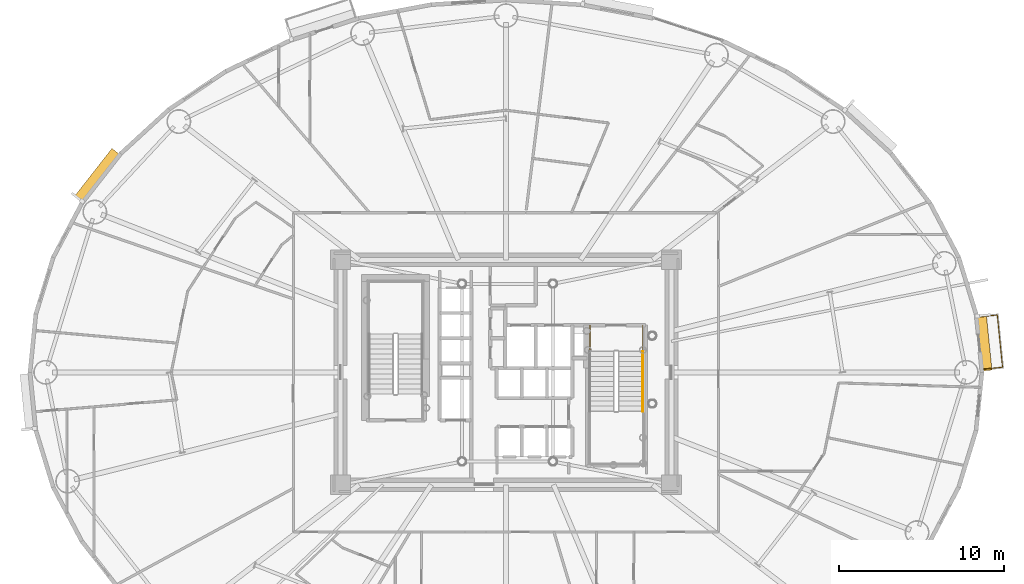
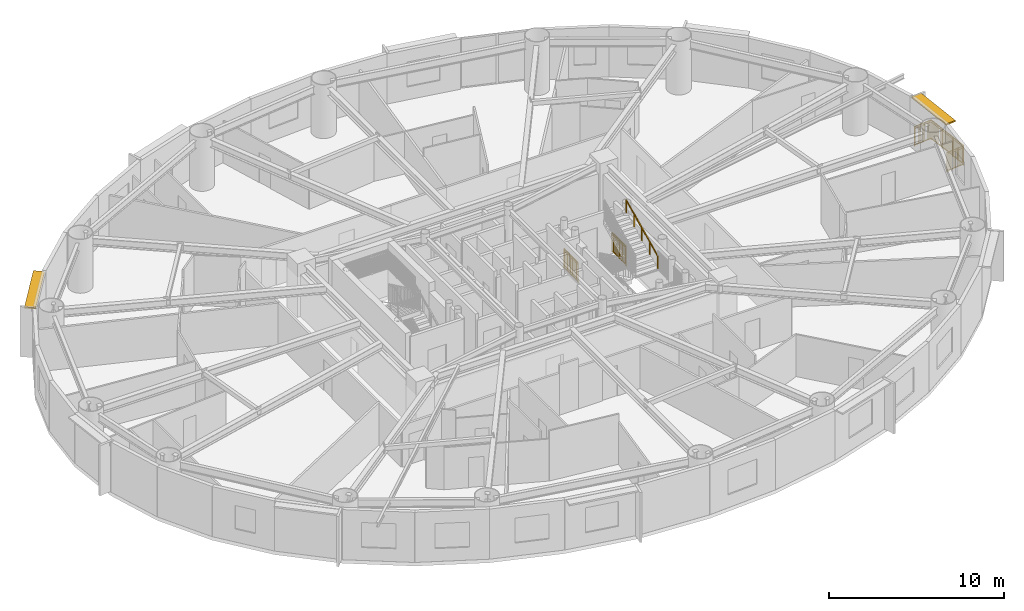
# One storey, part 20 of 21: 4 railings, 2 shading devices.
"""IFC4 building model written with IfcOpenShell, lengths in metres."""

from ifc_helpers import new_model, si_unit, direction, frame, origin, origin_2d, place, context, subcontext, project, spatial, rectangle, extrude, source, transform, mapped, material, layer, layer_set, type_object, element, save


model = new_model("IFC4")

# Units and contexts
model_context = context("Model", 3, precision=1e-05, world=origin(), true_north=direction((0.0, 1.0)))
body_context = subcontext(model_context, "Body", "Model", "MODEL_VIEW")
ifc_project = project(units=[si_unit("LENGTHUNIT", "METRE"), si_unit("AREAUNIT", "SQUARE_METRE"), si_unit("VOLUMEUNIT", "CUBIC_METRE"), si_unit("PLANEANGLEUNIT", "RADIAN"), si_unit("MASSUNIT", "GRAM", prefix="KILO")], contexts=[model_context])

# Site, building, storey
site_placement = place(None, origin())
site = spatial("IfcSite", under=ifc_project, at=site_placement, CompositionType="ELEMENT")
building_placement = place(site_placement, origin())
building = spatial("IfcBuilding", under=site, at=building_placement, Name="Linh Dai School and Residence Tower", CompositionType="ELEMENT")
storey_placement = place(building_placement, frame((0.0, 0.0, 97.199951171875)))
storey = spatial("IfcBuildingStorey", under=building, at=storey_placement, Name="L22", CompositionType="ELEMENT", Elevation=97.199951171875)

# Railing
ifc_material_1 = material(Name="Structural Steel S355JR", Category="steel")
railing_type_1 = type_object("IfcRailingType", Name="RL-BAL-1400", PredefinedType="BALUSTRADE", material=ifc_material_1)
shared_shape_1 = source(origin(), body_context, "Body", "SweptSolid", [
    extrude(rectangle(XDim=0.048095703125, YDim=0.048095703125, at=origin_2d()), frame((0.0, 0.0, 1.3759765625), z_axis=(0.994994077886, 0.099933903019, 0.0), x_axis=(-0.099933903019, 0.994994077886, 0.0)), (0.0, 0.0, 1.0), 1.179931640625),
    extrude(rectangle(XDim=0.048095703125, YDim=0.048095703125, at=origin_2d()), frame((0.0, 0.0, 0.10009765625), z_axis=(0.994994077886, 0.099933903019, 0.0), x_axis=(-0.099933903019, 0.994994077886, 0.0)), (0.0, 0.0, 1.0), 1.179931640625),
    extrude(rectangle(XDim=0.030029296875, YDim=0.030029296875, at=origin_2d()), frame((0.0, 0.0, 1.239990234375), z_axis=(0.994994077886, 0.099933903019, 0.0), x_axis=(-0.099933903019, 0.994994077886, 0.0)), (0.0, 0.0, 1.0), 1.179931640625),
    extrude(rectangle(XDim=0.02001953125, YDim=0.02001953125, at=origin_2d()), frame((0.09033203125, 0.009033203125, 0.10009765625)), (0.0, 0.0, 1.0), 1.251708984375),
    extrude(rectangle(XDim=0.02001953125, YDim=0.02001953125, at=origin_2d()), frame((0.1806640625, 0.01806640625, 0.10009765625)), (0.0, 0.0, 1.0), 1.251708984375),
    extrude(rectangle(XDim=0.02001953125, YDim=0.02001953125, at=origin_2d()), frame((0.27099609375, 0.027099609375, 0.10009765625)), (0.0, 0.0, 1.0), 1.251708984375),
    extrude(rectangle(XDim=0.02001953125, YDim=0.02001953125, at=origin_2d()), frame((0.361328125, 0.036376953125, 0.10009765625)), (0.0, 0.0, 1.0), 1.251708984375),
    extrude(rectangle(XDim=0.02001953125, YDim=0.02001953125, at=origin_2d()), frame((0.45166015625, 0.04541015625, 0.10009765625)), (0.0, 0.0, 1.0), 1.251708984375),
    extrude(rectangle(XDim=0.02001953125, YDim=0.02001953125, at=origin_2d()), frame((0.5419921875, 0.054443359375, 0.10009765625)), (0.0, 0.0, 1.0), 1.251708984375),
    extrude(rectangle(XDim=0.02001953125, YDim=0.02001953125, at=origin_2d()), frame((0.632080078125, 0.0634765625, 0.10009765625)), (0.0, 0.0, 1.0), 1.251708984375),
    extrude(rectangle(XDim=0.02001953125, YDim=0.02001953125, at=origin_2d()), frame((0.722412109375, 0.072509765625, 0.10009765625)), (0.0, 0.0, 1.0), 1.251708984375),
    extrude(rectangle(XDim=0.02001953125, YDim=0.02001953125, at=origin_2d()), frame((0.812744140625, 0.08154296875, 0.10009765625)), (0.0, 0.0, 1.0), 1.251708984375),
    extrude(rectangle(XDim=0.02001953125, YDim=0.02001953125, at=origin_2d()), frame((0.903076171875, 0.0908203125, 0.10009765625)), (0.0, 0.0, 1.0), 1.251708984375),
    extrude(rectangle(XDim=0.02001953125, YDim=0.02001953125, at=origin_2d()), frame((0.993408203125, 0.099853515625, 0.10009765625)), (0.0, 0.0, 1.0), 1.251708984375),
    extrude(rectangle(XDim=0.02001953125, YDim=0.02001953125, at=origin_2d()), frame((1.083740234375, 0.10888671875, 0.10009765625)), (0.0, 0.0, 1.0), 1.251708984375),
    extrude(rectangle(XDim=0.048095703125, YDim=0.048095703125, at=origin_2d()), frame((1.174072265625, 0.117919921875, 1.3759765625), z_axis=(0.100029373588, -0.994984484512, 0.0), x_axis=(0.994984484512, 0.100029373588, 0.0)), (0.0, 0.0, 1.0), 3.1728515625),
    extrude(rectangle(XDim=0.048095703125, YDim=0.048095703125, at=origin_2d()), frame((1.174072265625, 0.117919921875, 0.10009765625), z_axis=(0.100029373588, -0.994984484512, 0.0), x_axis=(0.994984484512, 0.100029373588, 0.0)), (0.0, 0.0, 1.0), 3.1728515625),
    extrude(rectangle(XDim=0.030029296875, YDim=0.030029296875, at=origin_2d()), frame((1.174072265625, 0.117919921875, 1.239990234375), z_axis=(0.100029373588, -0.994984484512, 0.0), x_axis=(0.994984484512, 0.100029373588, 0.0)), (0.0, 0.0, 1.0), 3.1728515625),
    extrude(rectangle(XDim=0.02001953125, YDim=0.02001953125, at=origin_2d()), frame((1.18359375, 0.022216796875, 0.10009765625)), (0.0, 0.0, 1.0), 1.251708984375),
    extrude(rectangle(XDim=0.02001953125, YDim=0.02001953125, at=origin_2d()), frame((1.193359375, -0.073486328125, 0.10009765625)), (0.0, 0.0, 1.0), 1.251708984375),
    extrude(rectangle(XDim=0.02001953125, YDim=0.02001953125, at=origin_2d()), frame((1.202880859375, -0.169189453125, 0.10009765625)), (0.0, 0.0, 1.0), 1.251708984375),
    extrude(rectangle(XDim=0.02001953125, YDim=0.02001953125, at=origin_2d()), frame((1.212646484375, -0.2646484375, 0.10009765625)), (0.0, 0.0, 1.0), 1.251708984375),
    extrude(rectangle(XDim=0.02001953125, YDim=0.02001953125, at=origin_2d()), frame((1.22216796875, -0.3603515625, 0.10009765625)), (0.0, 0.0, 1.0), 1.251708984375),
    extrude(rectangle(XDim=0.02001953125, YDim=0.02001953125, at=origin_2d()), frame((1.231689453125, -0.4560546875, 0.10009765625)), (0.0, 0.0, 1.0), 1.251708984375),
    extrude(rectangle(XDim=0.02001953125, YDim=0.02001953125, at=origin_2d()), frame((1.241455078125, -0.5517578125, 0.10009765625)), (0.0, 0.0, 1.0), 1.251708984375),
    extrude(rectangle(XDim=0.02001953125, YDim=0.02001953125, at=origin_2d()), frame((1.2509765625, -0.6474609375, 0.10009765625)), (0.0, 0.0, 1.0), 1.251708984375),
    extrude(rectangle(XDim=0.02001953125, YDim=0.02001953125, at=origin_2d()), frame((1.2607421875, -0.7431640625, 0.10009765625)), (0.0, 0.0, 1.0), 1.251708984375),
    extrude(rectangle(XDim=0.02001953125, YDim=0.02001953125, at=origin_2d()), frame((1.270263671875, -0.838623046875, 0.10009765625)), (0.0, 0.0, 1.0), 1.251708984375),
    extrude(rectangle(XDim=0.02001953125, YDim=0.02001953125, at=origin_2d()), frame((1.28955078125, -1.030029296875, 0.10009765625)), (0.0, 0.0, 1.0), 1.251708984375),
    extrude(rectangle(XDim=0.02001953125, YDim=0.02001953125, at=origin_2d()), frame((1.299072265625, -1.125732421875, 0.10009765625)), (0.0, 0.0, 1.0), 1.251708984375),
    extrude(rectangle(XDim=0.02001953125, YDim=0.02001953125, at=origin_2d()), frame((1.308837890625, -1.221435546875, 0.10009765625)), (0.0, 0.0, 1.0), 1.251708984375),
    extrude(rectangle(XDim=0.02001953125, YDim=0.02001953125, at=origin_2d()), frame((1.318359375, -1.317138671875, 0.10009765625)), (0.0, 0.0, 1.0), 1.251708984375),
    extrude(rectangle(XDim=0.02001953125, YDim=0.02001953125, at=origin_2d()), frame((1.327880859375, -1.412841796875, 0.10009765625)), (0.0, 0.0, 1.0), 1.251708984375),
    extrude(rectangle(XDim=0.02001953125, YDim=0.02001953125, at=origin_2d()), frame((1.337646484375, -1.50830078125, 0.10009765625)), (0.0, 0.0, 1.0), 1.251708984375),
    extrude(rectangle(XDim=0.02001953125, YDim=0.02001953125, at=origin_2d()), frame((1.34716796875, -1.60400390625, 0.10009765625)), (0.0, 0.0, 1.0), 1.251708984375),
    extrude(rectangle(XDim=0.02001953125, YDim=0.02001953125, at=origin_2d()), frame((1.356689453125, -1.69970703125, 0.10009765625)), (0.0, 0.0, 1.0), 1.251708984375),
    extrude(rectangle(XDim=0.02001953125, YDim=0.02001953125, at=origin_2d()), frame((1.366455078125, -1.79541015625, 0.10009765625)), (0.0, 0.0, 1.0), 1.251708984375),
    extrude(rectangle(XDim=0.02001953125, YDim=0.02001953125, at=origin_2d()), frame((1.3759765625, -1.89111328125, 0.10009765625)), (0.0, 0.0, 1.0), 1.251708984375),
    extrude(rectangle(XDim=0.02001953125, YDim=0.02001953125, at=origin_2d()), frame((1.395263671875, -2.08251953125, 0.10009765625)), (0.0, 0.0, 1.0), 1.251708984375),
    extrude(rectangle(XDim=0.02001953125, YDim=0.02001953125, at=origin_2d()), frame((1.40478515625, -2.177978515625, 0.10009765625)), (0.0, 0.0, 1.0), 1.251708984375),
    extrude(rectangle(XDim=0.02001953125, YDim=0.02001953125, at=origin_2d()), frame((1.41455078125, -2.273681640625, 0.10009765625)), (0.0, 0.0, 1.0), 1.251708984375),
    extrude(rectangle(XDim=0.02001953125, YDim=0.02001953125, at=origin_2d()), frame((1.424072265625, -2.369384765625, 0.10009765625)), (0.0, 0.0, 1.0), 1.251708984375),
    extrude(rectangle(XDim=0.02001953125, YDim=0.02001953125, at=origin_2d()), frame((1.433837890625, -2.465087890625, 0.10009765625)), (0.0, 0.0, 1.0), 1.251708984375),
    extrude(rectangle(XDim=0.02001953125, YDim=0.02001953125, at=origin_2d()), frame((1.443359375, -2.560791015625, 0.10009765625)), (0.0, 0.0, 1.0), 1.251708984375),
    extrude(rectangle(XDim=0.02001953125, YDim=0.02001953125, at=origin_2d()), frame((1.452880859375, -2.656494140625, 0.10009765625)), (0.0, 0.0, 1.0), 1.251708984375),
    extrude(rectangle(XDim=0.02001953125, YDim=0.02001953125, at=origin_2d()), frame((1.462646484375, -2.751953125, 0.10009765625)), (0.0, 0.0, 1.0), 1.251708984375),
    extrude(rectangle(XDim=0.02001953125, YDim=0.02001953125, at=origin_2d()), frame((1.47216796875, -2.84765625, 0.10009765625)), (0.0, 0.0, 1.0), 1.251708984375),
    extrude(rectangle(XDim=0.02001953125, YDim=0.02001953125, at=origin_2d()), frame((1.48193359375, -2.943359375, 0.10009765625)), (0.0, 0.0, 1.0), 1.251708984375),
    extrude(rectangle(XDim=0.048095703125, YDim=0.048095703125, at=origin_2d()), frame((1.491455078125, -3.0390625, 1.3759765625), z_axis=(-0.99497348416, -0.100138732862, 0.0), x_axis=(0.100138732862, -0.99497348416, 0.0)), (0.0, 0.0, 1.0), 1.179931640625),
    extrude(rectangle(XDim=0.048095703125, YDim=0.048095703125, at=origin_2d()), frame((1.491455078125, -3.0390625, 0.10009765625), z_axis=(-0.99497348416, -0.100138732862, 0.0), x_axis=(0.100138732862, -0.99497348416, 0.0)), (0.0, 0.0, 1.0), 1.179931640625),
    extrude(rectangle(XDim=0.030029296875, YDim=0.030029296875, at=origin_2d()), frame((1.491455078125, -3.0390625, 1.239990234375), z_axis=(-0.99497348416, -0.100138732862, 0.0), x_axis=(0.100138732862, -0.99497348416, 0.0)), (0.0, 0.0, 1.0), 1.179931640625),
    extrude(rectangle(XDim=0.02001953125, YDim=0.02001953125, at=origin_2d()), frame((1.401123046875, -3.048095703125, 0.10009765625)), (0.0, 0.0, 1.0), 1.251708984375),
    extrude(rectangle(XDim=0.02001953125, YDim=0.02001953125, at=origin_2d()), frame((1.310791015625, -3.05712890625, 0.10009765625)), (0.0, 0.0, 1.0), 1.251708984375),
    extrude(rectangle(XDim=0.02001953125, YDim=0.02001953125, at=origin_2d()), frame((1.220458984375, -3.06640625, 0.10009765625)), (0.0, 0.0, 1.0), 1.251708984375),
    extrude(rectangle(XDim=0.02001953125, YDim=0.02001953125, at=origin_2d()), frame((1.130126953125, -3.075439453125, 0.10009765625)), (0.0, 0.0, 1.0), 1.251708984375),
    extrude(rectangle(XDim=0.02001953125, YDim=0.02001953125, at=origin_2d()), frame((1.039794921875, -3.08447265625, 0.10009765625)), (0.0, 0.0, 1.0), 1.251708984375),
    extrude(rectangle(XDim=0.02001953125, YDim=0.02001953125, at=origin_2d()), frame((0.949462890625, -3.093505859375, 0.10009765625)), (0.0, 0.0, 1.0), 1.251708984375),
    extrude(rectangle(XDim=0.02001953125, YDim=0.02001953125, at=origin_2d()), frame((0.859375, -3.102783203125, 0.10009765625)), (0.0, 0.0, 1.0), 1.251708984375),
    extrude(rectangle(XDim=0.02001953125, YDim=0.02001953125, at=origin_2d()), frame((0.76904296875, -3.11181640625, 0.10009765625)), (0.0, 0.0, 1.0), 1.251708984375),
    extrude(rectangle(XDim=0.02001953125, YDim=0.02001953125, at=origin_2d()), frame((0.6787109375, -3.120849609375, 0.10009765625)), (0.0, 0.0, 1.0), 1.251708984375),
    extrude(rectangle(XDim=0.02001953125, YDim=0.02001953125, at=origin_2d()), frame((0.58837890625, -3.1298828125, 0.10009765625)), (0.0, 0.0, 1.0), 1.251708984375),
    extrude(rectangle(XDim=0.02001953125, YDim=0.02001953125, at=origin_2d()), frame((0.498046875, -3.13916015625, 0.10009765625)), (0.0, 0.0, 1.0), 1.251708984375),
    extrude(rectangle(XDim=0.02001953125, YDim=0.02001953125, at=origin_2d()), frame((0.40771484375, -3.148193359375, 0.10009765625)), (0.0, 0.0, 1.0), 1.251708984375),
    extrude(rectangle(XDim=0.0419921875, YDim=0.0419921875, at=origin_2d()), origin(), (0.0, 0.0, 1.0), 1.3759765625),
    extrude(rectangle(XDim=0.0419921875, YDim=0.0419921875, at=origin_2d()), frame((1.174072265625, 0.117919921875, 0.0)), (0.0, 0.0, 1.0), 1.3759765625),
    extrude(rectangle(XDim=0.0419921875, YDim=0.0419921875, at=origin_2d()), frame((1.27978515625, -0.934326171875, 0.0)), (0.0, 0.0, 1.0), 1.3759765625),
    extrude(rectangle(XDim=0.0419921875, YDim=0.0419921875, at=origin_2d()), frame((1.3857421875, -1.98681640625, 0.0)), (0.0, 0.0, 1.0), 1.3759765625),
    extrude(rectangle(XDim=0.0419921875, YDim=0.0419921875, at=origin_2d()), frame((1.491455078125, -3.0390625, 0.0)), (0.0, 0.0, 1.0), 1.3759765625),
    extrude(rectangle(XDim=0.0419921875, YDim=0.0419921875, at=origin_2d()), frame((0.3173828125, -3.1572265625, 0.0)), (0.0, 0.0, 1.0), 1.3759765625),
])
railing_1_placement = place(storey_placement, frame((64.524169921875, 30.3447265625, 0.0)))
element("IfcRailing", 1, at=railing_1_placement, inside=storey, type_object=railing_type_1, Name="L22 Balcony Safety Balustrade 01", PredefinedType="BALUSTRADE", context=body_context, shape_type="MappedRepresentation", body=[
    mapped(shared_shape_1, transform((0.0, 0.0, 0.0), x_axis=(1.0, 0.0, 0.0), y_axis=(0.0, 1.0, 0.0), z_axis=(0.0, 0.0, 1.0), scale=1.0)),
])

# Shading devices
ifc_material_2 = material(Name="Terracotta Ceramic Sunshade", Category="masonry")
ifc_layer = layer(ifc_material_2, 0.10009765625)
ifc_layer_set = layer_set([ifc_layer], Name="Terracotta Ceramic Sunshade")
shading_device_type = type_object("IfcShadingDeviceType", Name="SHD-TC-650", PredefinedType="USERDEFINED", material=ifc_layer_set)
shared_shape_2 = source(origin(), body_context, "Body", "SweptSolid", [
    extrude(rectangle(XDim=3.3916015625, YDim=0.64990234375, at=origin_2d()), origin(), (0.0, 0.0, 1.0), 0.10009765625),
])
shading_device_1_placement = place(storey_placement, frame((64.8818359375, 28.7861328125, 3.3798828125), z_axis=(0.0, 0.0, 1.0), x_axis=(0.100007297192, -0.994986703684, 0.0)))
element("IfcShadingDevice", 2, at=shading_device_1_placement, inside=storey, type_object=shading_device_type, Name="L22 Terracotta Horizontal Sunshade Band 01", ObjectType="SUNSHADE", PredefinedType="USERDEFINED", context=body_context, shape_type="MappedRepresentation", body=[
    mapped(shared_shape_2, transform((0.0, 0.0, 0.0), x_axis=(1.0, 0.0, 0.0), y_axis=(0.0, 1.0, 0.0), z_axis=(0.0, 0.0, 1.0), scale=1.0)),
])
shared_shape_3 = source(origin(), body_context, "Body", "SweptSolid", [
    extrude(rectangle(XDim=3.67041015625, YDim=0.64990234375, at=origin_2d()), origin(), (0.0, 0.0, 1.0), 0.10009765625),
])
shading_device_2_placement = place(storey_placement, frame((11.308349609375, 38.88671875, 3.3798828125), z_axis=(0.0, 0.0, 1.0), x_axis=(0.616305017583, 0.787507539838, 0.0)))
element("IfcShadingDevice", 3, at=shading_device_2_placement, inside=storey, type_object=shading_device_type, Name="L22 Terracotta Horizontal Sunshade Band 17", ObjectType="SUNSHADE", PredefinedType="USERDEFINED", context=body_context, shape_type="MappedRepresentation", body=[
    mapped(shared_shape_3, transform((0.0, 0.0, 0.0), x_axis=(1.0, 0.0, 0.0), y_axis=(0.0, 1.0, 0.0), z_axis=(0.0, 0.0, 1.0), scale=1.0)),
])

# Railings
ifc_material_3 = material(Name="Brushed Stainless Steel Handrail", Category="steel")
railing_type_2 = type_object("IfcRailingType", Name="RL-ST-HANDRAIL-900", PredefinedType="HANDRAIL", material=ifc_material_3)
shared_shape_4 = source(origin(), body_context, "Body", "SweptSolid", [
    extrude(rectangle(XDim=0.048095703125, YDim=0.048095703125, at=origin_2d()), frame((0.0, 0.0, 0.8759765625), z_axis=(0.0, 0.901262522062, 0.433273431364), x_axis=(-1.0, 0.0, 0.0)), (0.0, 0.0, 1.0), 3.994384765625),
    extrude(rectangle(XDim=0.0419921875, YDim=0.0419921875, at=origin_2d()), origin(), (0.0, 0.0, 1.0), 0.8759765625),
    extrude(rectangle(XDim=0.0419921875, YDim=0.0419921875, at=origin_2d()), frame((0.0, 0.89990234375, 0.4326171875)), (0.0, 0.0, 1.0), 0.8759765625),
    extrude(rectangle(XDim=0.0419921875, YDim=0.0419921875, at=origin_2d()), frame((0.0, 1.800048828125, 0.865234375)), (0.0, 0.0, 1.0), 0.8759765625),
    extrude(rectangle(XDim=0.0419921875, YDim=0.0419921875, at=origin_2d()), frame((0.0, 2.7001953125, 1.298095703125)), (0.0, 0.0, 1.0), 0.8759765625),
    extrude(rectangle(XDim=0.0419921875, YDim=0.0419921875, at=origin_2d()), frame((0.0, 3.60009765625, 1.730712890625)), (0.0, 0.0, 1.0), 0.8759765625),
])
railing_2_placement = place(storey_placement, frame((44.27001953125, 24.64990234375, 2.019287109375)))
element("IfcRailing", 4, at=railing_2_placement, inside=storey, type_object=railing_type_2, Name="L22 ST2 stair handrail 2", PredefinedType="HANDRAIL", context=body_context, shape_type="MappedRepresentation", body=[
    mapped(shared_shape_4, transform((0.0, 0.0, 0.0), x_axis=(1.0, 0.0, 0.0), y_axis=(0.0, 1.0, 0.0), z_axis=(0.0, 0.0, 1.0), scale=1.0)),
])
railing_type_3 = type_object("IfcRailingType", Name="RL-ST-GUARD-1400", PredefinedType="GUARDRAIL", material=ifc_material_1)
shared_shape_5 = source(origin(), body_context, "Body", "SweptSolid", [
    extrude(rectangle(XDim=0.048095703125, YDim=0.048095703125, at=origin_2d()), frame((0.0, 0.0, 1.3759765625), z_axis=(0.0, -1.0, 0.0), x_axis=(1.0, 0.0, 0.0)), (0.0, 0.0, 1.0), 1.60009765625),
    extrude(rectangle(XDim=0.048095703125, YDim=0.048095703125, at=origin_2d()), frame((0.0, 0.0, 0.10009765625), z_axis=(0.0, -1.0, 0.0), x_axis=(1.0, 0.0, 0.0)), (0.0, 0.0, 1.0), 1.60009765625),
    extrude(rectangle(XDim=0.030029296875, YDim=0.030029296875, at=origin_2d()), frame((0.0, 0.0, 1.239990234375), z_axis=(0.0, -1.0, 0.0), x_axis=(1.0, 0.0, 0.0)), (0.0, 0.0, 1.0), 1.60009765625),
    extrude(rectangle(XDim=0.02001953125, YDim=0.02001953125, at=origin_2d()), frame((0.0, -0.09423828125, 0.10009765625)), (0.0, 0.0, 1.0), 1.251708984375),
    extrude(rectangle(XDim=0.02001953125, YDim=0.02001953125, at=origin_2d()), frame((0.0, -0.188232421875, 0.10009765625)), (0.0, 0.0, 1.0), 1.251708984375),
    extrude(rectangle(XDim=0.02001953125, YDim=0.02001953125, at=origin_2d()), frame((0.0, -0.282470703125, 0.10009765625)), (0.0, 0.0, 1.0), 1.251708984375),
    extrude(rectangle(XDim=0.02001953125, YDim=0.02001953125, at=origin_2d()), frame((0.0, -0.37646484375, 0.10009765625)), (0.0, 0.0, 1.0), 1.251708984375),
    extrude(rectangle(XDim=0.02001953125, YDim=0.02001953125, at=origin_2d()), frame((0.0, -0.470703125, 0.10009765625)), (0.0, 0.0, 1.0), 1.251708984375),
    extrude(rectangle(XDim=0.02001953125, YDim=0.02001953125, at=origin_2d()), frame((0.0, -0.564697265625, 0.10009765625)), (0.0, 0.0, 1.0), 1.251708984375),
    extrude(rectangle(XDim=0.02001953125, YDim=0.02001953125, at=origin_2d()), frame((0.0, -0.658935546875, 0.10009765625)), (0.0, 0.0, 1.0), 1.251708984375),
    extrude(rectangle(XDim=0.02001953125, YDim=0.02001953125, at=origin_2d()), frame((0.0, -0.7529296875, 0.10009765625)), (0.0, 0.0, 1.0), 1.251708984375),
    extrude(rectangle(XDim=0.02001953125, YDim=0.02001953125, at=origin_2d()), frame((0.0, -0.84716796875, 0.10009765625)), (0.0, 0.0, 1.0), 1.251708984375),
    extrude(rectangle(XDim=0.02001953125, YDim=0.02001953125, at=origin_2d()), frame((0.0, -0.941162109375, 0.10009765625)), (0.0, 0.0, 1.0), 1.251708984375),
    extrude(rectangle(XDim=0.02001953125, YDim=0.02001953125, at=origin_2d()), frame((0.0, -1.035400390625, 0.10009765625)), (0.0, 0.0, 1.0), 1.251708984375),
    extrude(rectangle(XDim=0.02001953125, YDim=0.02001953125, at=origin_2d()), frame((0.0, -1.12939453125, 0.10009765625)), (0.0, 0.0, 1.0), 1.251708984375),
    extrude(rectangle(XDim=0.02001953125, YDim=0.02001953125, at=origin_2d()), frame((0.0, -1.2236328125, 0.10009765625)), (0.0, 0.0, 1.0), 1.251708984375),
    extrude(rectangle(XDim=0.02001953125, YDim=0.02001953125, at=origin_2d()), frame((0.0, -1.317626953125, 0.10009765625)), (0.0, 0.0, 1.0), 1.251708984375),
    extrude(rectangle(XDim=0.02001953125, YDim=0.02001953125, at=origin_2d()), frame((0.0, -1.411865234375, 0.10009765625)), (0.0, 0.0, 1.0), 1.251708984375),
    extrude(rectangle(XDim=0.02001953125, YDim=0.02001953125, at=origin_2d()), frame((0.0, -1.505859375, 0.10009765625)), (0.0, 0.0, 1.0), 1.251708984375),
    extrude(rectangle(XDim=0.0419921875, YDim=0.0419921875, at=origin_2d()), origin(), (0.0, 0.0, 1.0), 1.3759765625),
    extrude(rectangle(XDim=0.0419921875, YDim=0.0419921875, at=origin_2d()), frame((0.0, -0.800048828125, 0.0)), (0.0, 0.0, 1.0), 1.3759765625),
    extrude(rectangle(XDim=0.0419921875, YDim=0.0419921875, at=origin_2d()), frame((0.0, -1.60009765625, 0.0)), (0.0, 0.0, 1.0), 1.3759765625),
])
for number, where, name in (
    (5, (41.070068359375, 29.85009765625, 0.0), "L22 ST2 stair guard 8"),
    (6, (44.27001953125, 29.85009765625, 0.0), "L22 ST2 stair guard 9"),
):
    element("IfcRailing", number, at=place(storey_placement, frame(where)), inside=storey, type_object=railing_type_3, Name=name, PredefinedType="GUARDRAIL", context=body_context, shape_type="MappedRepresentation", body=[
        mapped(shared_shape_5, transform((0.0, 0.0, 0.0), x_axis=(1.0, 0.0, 0.0), y_axis=(0.0, 1.0, 0.0), z_axis=(0.0, 0.0, 1.0), scale=1.0)),
    ])

save(model, "model.ifc")
